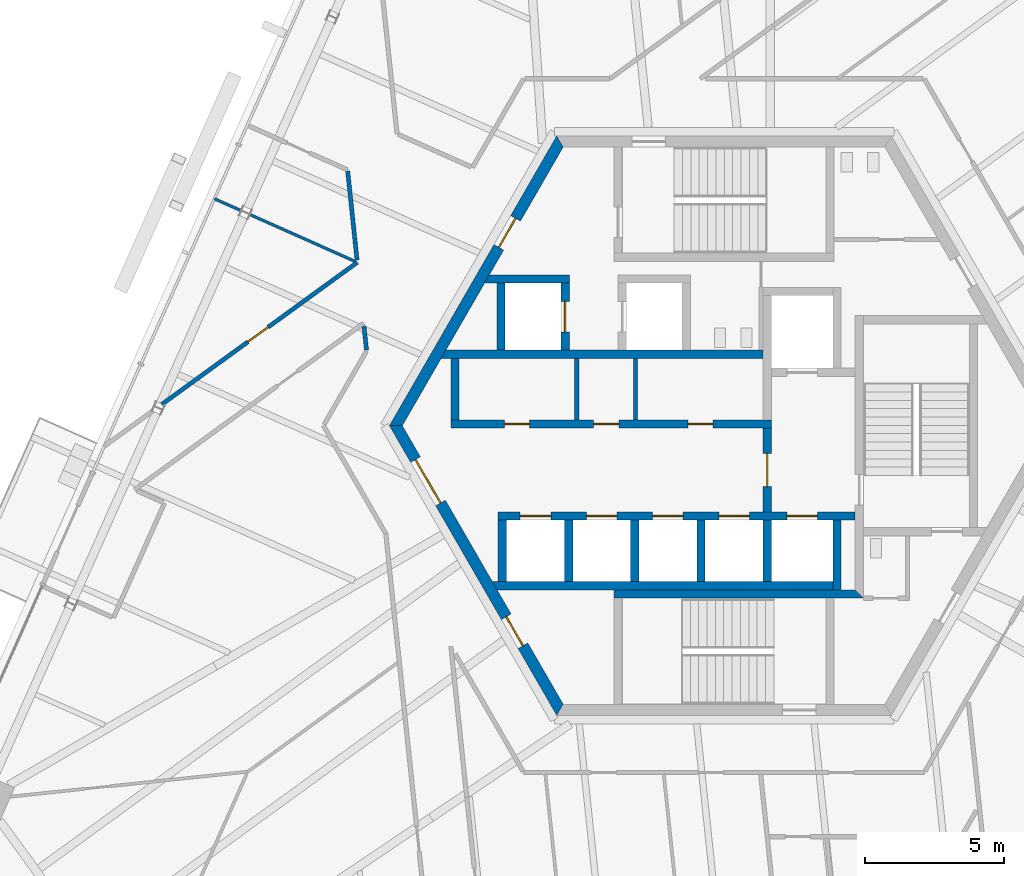
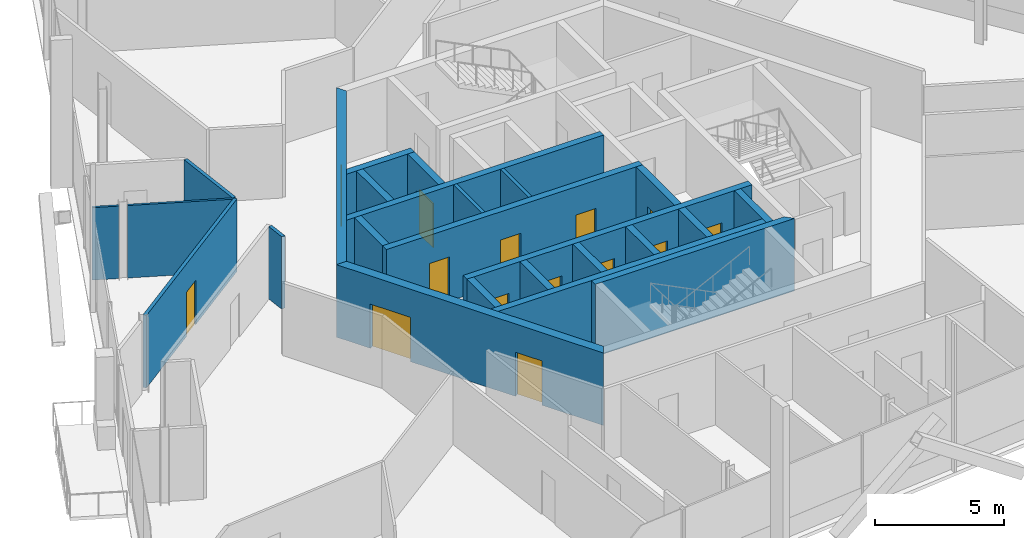
# One storey, part 11 of 20: 25 walls, 14 doors, 14 openings.
"""IFC4 building model written with IfcOpenShell, lengths in metres."""

from ifc_helpers import new_model, si_unit, direction, frame, frame_2d, origin, place, context, subcontext, project, spatial, polyline, rectangle, outline, extrude, source, transform, mapped, material, layer, layer_set, type_object, element, fill, save


model = new_model("IFC4")

# Units and contexts
model_context = context("Model", 3, precision=1e-05, world=origin(), true_north=direction((0.0, 1.0)))
body_context = subcontext(model_context, "Body", "Model", "MODEL_VIEW")
ifc_project = project(units=[si_unit("LENGTHUNIT", "METRE"), si_unit("AREAUNIT", "SQUARE_METRE"), si_unit("VOLUMEUNIT", "CUBIC_METRE"), si_unit("PLANEANGLEUNIT", "RADIAN"), si_unit("MASSUNIT", "GRAM", prefix="KILO")], contexts=[model_context])

# Site, building, storey
site_placement = place(None, origin())
site = spatial("IfcSite", under=ifc_project, at=site_placement, CompositionType="ELEMENT")
building_placement = place(site_placement, origin())
building = spatial("IfcBuilding", under=site, at=building_placement, Name="Triune Harvest Tower", CompositionType="ELEMENT")
storey_placement = place(building_placement, frame((0.0, 0.0, 234.10009765625)))
storey = spatial("IfcBuildingStorey", under=building, at=storey_placement, Name="L61", CompositionType="ELEMENT", Elevation=234.10009765625)

# Wall, opening, door
ifc_material_1 = material(Name="Concrete 70 MPa", Category="concrete")
ifc_layer_1 = layer(ifc_material_1, 0.39990234375)
ifc_layer_set_1 = layer_set([ifc_layer_1], Name="Concrete 70 MPa")
wall_type_1 = type_object("IfcWallType", Name="Core wall 400", PredefinedType="SHEAR", material=ifc_layer_set_1)
shared_shape_1 = source(origin(), body_context, "Body", "SweptSolid", [
    extrude(outline(polyline([(-0.115478515625, -0.199951171875), (11.884521484375, -0.199951171875), (11.653564453125, 0.199951171875), (0.115478515625, 0.199951171875), (-0.115478515625, -0.199951171875)])), origin(), (0.0, 0.0, 1.0), 3.43994140625),
])
wall_1_placement = place(storey_placement, frame((-5.884521484375, 10.1923828125, 0.0), z_axis=(0.0, 0.0, 1.0), x_axis=(-0.499996592174, -0.866027371285, 0.0)))
wall_1 = element("IfcWall", 1, at=wall_1_placement, inside=storey, type_object=wall_type_1, Name="Hexagon 2 wall", PredefinedType="SHEAR", context=body_context, shape_type="MappedRepresentation", body=[
    mapped(shared_shape_1, transform((0.0, 0.0, 0.0), scale=1.0)),
])
opening_1_placement = place(wall_1_placement, frame((3.1845703125, 0.0, 0.0)))
opening_1 = element("IfcOpeningElement", 2, at=opening_1_placement, cuts=wall_1, Name="Opening CD-SVP", PredefinedType="OPENING", context=body_context, shape_type="SweptSolid", body=[
    extrude(rectangle(XDim=1.199951171875, YDim=2.10009765625, at=frame_2d((0.60009765625, 1.050048828125))), frame((0.0, 0.2099609375, 0.0), z_axis=(0.0, -1.0, 0.0), x_axis=(1.0, 0.0, 0.0)), (0.0, 0.0, 1.0), 0.419921875),
])
ifc_material_2 = material(Name="Steel S235", Category="steel")
door_type_1 = type_object("IfcDoorType", Name="Service door 1200 FD120", OperationType="SINGLE_SWING_LEFT", PredefinedType="DOOR", material=ifc_material_2)
door_1_placement = place(opening_1_placement, frame((1.199951171875, 0.0, 0.0), z_axis=(0.0, 0.0, 1.0), x_axis=(-1.0, 0.0, 0.0)))
door_1 = element("IfcDoor", 3, at=door_1_placement, inside=storey, type_object=door_type_1, Name="Door CD-SVP", OperationType="SINGLE_SWING_RIGHT", OverallHeight=2.10009765625, OverallWidth=1.199951171875, PredefinedType="DOOR", context=body_context, shape_type="SweptSolid", body=[
    extrude(rectangle(XDim=1.199951171875, YDim=2.10009765625, at=frame_2d((0.60009765625, 1.050048828125))), frame((0.0, 0.02490234375, 0.0), z_axis=(0.0, -1.0, 0.0), x_axis=(1.0, 0.0, 0.0)), (0.0, 0.0, 1.0), 0.050048828125),
])
fill(opening_1, door_1)

# Wall, openings, doors
wall_2_placement = place(storey_placement, frame((-11.76904296875, 0.0, 0.0), z_axis=(0.0, 0.0, 1.0), x_axis=(0.499996592174, -0.866027371285, 0.0)))
wall_2 = element("IfcWall", 4, at=wall_2_placement, inside=storey, type_object=wall_type_1, Name="Hexagon 3 wall", PredefinedType="SHEAR", context=body_context, shape_type="MappedRepresentation", body=[
    mapped(shared_shape_1, transform((0.0, 0.0, 0.0), scale=1.0)),
])
opening_2_placement = place(wall_2_placement, frame((1.404541015625, 0.0, 0.0)))
opening_2 = element("IfcOpeningElement", 5, at=opening_2_placement, cuts=wall_2, Name="Opening CD-LS", PredefinedType="OPENING", context=body_context, shape_type="SweptSolid", body=[
    extrude(rectangle(XDim=1.800048828125, YDim=2.10009765625, at=frame_2d((0.89990234375, 1.050048828125))), frame((0.0, 0.2099609375, 0.0), z_axis=(0.0, -1.0, 0.0), x_axis=(1.0, 0.0, 0.0)), (0.0, 0.0, 1.0), 0.419921875),
])
opening_3_placement = place(wall_2_placement, frame((7.91455078125, 0.0, 0.0)))
opening_3 = element("IfcOpeningElement", 6, at=opening_3_placement, cuts=wall_2, Name="Opening CD-SWP", PredefinedType="OPENING", context=body_context, shape_type="SweptSolid", body=[
    extrude(rectangle(XDim=1.199951171875, YDim=2.10009765625, at=frame_2d((0.60009765625, 1.050048828125))), frame((0.0, 0.2099609375, 0.0), z_axis=(0.0, -1.0, 0.0), x_axis=(1.0, 0.0, 0.0)), (0.0, 0.0, 1.0), 0.419921875),
])
ifc_material_3 = material(Name="Steel S235", Category="steel")
door_type_2 = type_object("IfcDoorType", Name="Lobby door 1800 FD120", OperationType="DOUBLE_DOOR_DOUBLE_SWING", PredefinedType="DOOR", material=ifc_material_3)
door_2_placement = place(opening_2_placement, frame((1.800048828125, 0.0, 0.0), z_axis=(0.0, 0.0, 1.0), x_axis=(-1.0, 0.0, 0.0)))
door_2 = element("IfcDoor", 7, at=door_2_placement, inside=storey, type_object=door_type_2, Name="Door CD-LS", OperationType="DOUBLE_DOOR_DOUBLE_SWING", OverallHeight=2.10009765625, OverallWidth=1.800048828125, PredefinedType="DOOR", context=body_context, shape_type="SweptSolid", body=[
    extrude(rectangle(XDim=1.800048828125, YDim=2.10009765625, at=frame_2d((0.89990234375, 1.050048828125))), frame((0.0, 0.02490234375, 0.0), z_axis=(0.0, -1.0, 0.0), x_axis=(1.0, 0.0, 0.0)), (0.0, 0.0, 1.0), 0.050048828125),
])
fill(opening_2, door_2)
door_3_placement = place(opening_3_placement, frame((1.199951171875, 0.0, 0.0), z_axis=(0.0, 0.0, 1.0), x_axis=(-1.0, 0.0, 0.0)))
door_3 = element("IfcDoor", 8, at=door_3_placement, inside=storey, type_object=door_type_1, Name="Door CD-SWP", OperationType="SINGLE_SWING_RIGHT", OverallHeight=2.10009765625, OverallWidth=1.199951171875, PredefinedType="DOOR", context=body_context, shape_type="SweptSolid", body=[
    extrude(rectangle(XDim=1.199951171875, YDim=2.10009765625, at=frame_2d((0.60009765625, 1.050048828125))), frame((0.0, 0.02490234375, 0.0), z_axis=(0.0, -1.0, 0.0), x_axis=(1.0, 0.0, 0.0)), (0.0, 0.0, 1.0), 0.050048828125),
])
fill(opening_3, door_3)

ifc_material_4 = material(Name="Concrete 70 MPa", Category="concrete")
ifc_layer_2 = layer(ifc_material_4, 0.300048828125)
ifc_layer_set_2 = layer_set([ifc_layer_2], Name="Concrete 70 MPa")
wall_type_2 = type_object("IfcWallType", Name="Core wall 300", PredefinedType="SHEAR", material=ifc_layer_set_2)
shared_shape_2 = source(origin(), body_context, "Body", "SweptSolid", [
    extrude(rectangle(XDim=11.5, YDim=0.300048828125, at=frame_2d((5.75, 0.0))), origin(), (0.0, 0.0, 1.0), 3.43994140625),
])
wall_3_placement = place(storey_placement, frame((-9.800048828125, 0.06005859375, 0.0), z_axis=(0.0, 0.0, 1.0), x_axis=(1.0, 0.0, 0.0)))
wall_3 = element("IfcWall", 9, at=wall_3_placement, inside=storey, type_object=wall_type_2, Name="North front wall", PredefinedType="SHEAR", context=body_context, shape_type="MappedRepresentation", body=[
    mapped(shared_shape_2, transform((0.0, 0.0, 0.0), scale=1.0)),
])
opening_4_placement = place(wall_3_placement, frame((1.922607421875, 0.0, 0.0)))
opening_4 = element("IfcOpeningElement", 10, at=opening_4_placement, cuts=wall_3, Name="Opening CD-RN1", PredefinedType="OPENING", context=body_context, shape_type="SweptSolid", body=[
    extrude(rectangle(XDim=0.89990234375, YDim=2.10009765625, at=frame_2d((0.449951171875, 1.050048828125))), frame((0.0, 0.16015625, 0.0), z_axis=(0.0, -1.0, 0.0), x_axis=(1.0, 0.0, 0.0)), (0.0, 0.0, 1.0), 0.320068359375),
])
opening_5_placement = place(wall_3_placement, frame((5.125, 0.0, 0.0)))
opening_5 = element("IfcOpeningElement", 11, at=opening_5_placement, cuts=wall_3, Name="Opening CD-RN2", PredefinedType="OPENING", context=body_context, shape_type="SweptSolid", body=[
    extrude(rectangle(XDim=0.89990234375, YDim=2.10009765625, at=frame_2d((0.449951171875, 1.050048828125))), frame((0.0, 0.16015625, 0.0), z_axis=(0.0, -1.0, 0.0), x_axis=(1.0, 0.0, 0.0)), (0.0, 0.0, 1.0), 0.320068359375),
])
opening_6_placement = place(wall_3_placement, frame((8.50244140625, 0.0, 0.0)))
opening_6 = element("IfcOpeningElement", 12, at=opening_6_placement, cuts=wall_3, Name="Opening CD-RN3", PredefinedType="OPENING", context=body_context, shape_type="SweptSolid", body=[
    extrude(rectangle(XDim=0.89990234375, YDim=2.10009765625, at=frame_2d((0.449951171875, 1.050048828125))), frame((0.0, 0.16015625, 0.0), z_axis=(0.0, -1.0, 0.0), x_axis=(1.0, 0.0, 0.0)), (0.0, 0.0, 1.0), 0.320068359375),
])
ifc_material_5 = material(Name="Steel S235", Category="steel")
door_type_3 = type_object("IfcDoorType", Name="Riser door 900 FD120", OperationType="SINGLE_SWING_LEFT", PredefinedType="DOOR", material=ifc_material_5)
door_4_placement = place(opening_4_placement, frame((0.89990234375, 0.0, 0.0), z_axis=(0.0, 0.0, 1.0), x_axis=(-1.0, 0.0, 0.0)))
door_4 = element("IfcDoor", 13, at=door_4_placement, inside=storey, type_object=door_type_3, Name="Door CD-RN1", OperationType="SINGLE_SWING_RIGHT", OverallHeight=2.10009765625, OverallWidth=0.89990234375, PredefinedType="DOOR", context=body_context, shape_type="SweptSolid", body=[
    extrude(rectangle(XDim=0.89990234375, YDim=2.10009765625, at=frame_2d((0.449951171875, 1.050048828125))), frame((0.0, 0.02490234375, 0.0), z_axis=(0.0, -1.0, 0.0), x_axis=(1.0, 0.0, 0.0)), (0.0, 0.0, 1.0), 0.050048828125),
])
fill(opening_4, door_4)
door_5_placement = place(opening_5_placement, frame((0.89990234375, 0.0, 0.0), z_axis=(0.0, 0.0, 1.0), x_axis=(-1.0, 0.0, 0.0)))
door_5 = element("IfcDoor", 14, at=door_5_placement, inside=storey, type_object=door_type_3, Name="Door CD-RN2", OperationType="SINGLE_SWING_RIGHT", OverallHeight=2.10009765625, OverallWidth=0.89990234375, PredefinedType="DOOR", context=body_context, shape_type="SweptSolid", body=[
    extrude(rectangle(XDim=0.89990234375, YDim=2.10009765625, at=frame_2d((0.449951171875, 1.050048828125))), frame((0.0, 0.02490234375, 0.0), z_axis=(0.0, -1.0, 0.0), x_axis=(1.0, 0.0, 0.0)), (0.0, 0.0, 1.0), 0.050048828125),
])
fill(opening_5, door_5)
door_6_placement = place(opening_6_placement, frame((0.89990234375, 0.0, 0.0), z_axis=(0.0, 0.0, 1.0), x_axis=(-1.0, 0.0, 0.0)))
door_6 = element("IfcDoor", 15, at=door_6_placement, inside=storey, type_object=door_type_3, Name="Door CD-RN3", OperationType="SINGLE_SWING_RIGHT", OverallHeight=2.10009765625, OverallWidth=0.89990234375, PredefinedType="DOOR", context=body_context, shape_type="SweptSolid", body=[
    extrude(rectangle(XDim=0.89990234375, YDim=2.10009765625, at=frame_2d((0.449951171875, 1.050048828125))), frame((0.0, 0.02490234375, 0.0), z_axis=(0.0, -1.0, 0.0), x_axis=(1.0, 0.0, 0.0)), (0.0, 0.0, 1.0), 0.050048828125),
])
fill(opening_6, door_6)

# Walls
shared_shape_3 = source(origin(), body_context, "Body", "SweptSolid", [
    extrude(outline(polyline([(11.199951171875, -0.14990234375), (-0.34912109375, -0.14990234375), (-0.17578125, 0.14990234375), (11.199951171875, 0.14990234375), (11.199951171875, -0.14990234375)])), origin(), (0.0, 0.0, 1.0), 3.43994140625),
])
wall_4_placement = place(storey_placement, frame((-9.800048828125, 2.56005859375, 0.0), z_axis=(0.0, 0.0, 1.0), x_axis=(1.0, 0.0, 0.0)))
element("IfcWall", 16, at=wall_4_placement, inside=storey, type_object=wall_type_2, Name="North back wall", PredefinedType="SHEAR", context=body_context, shape_type="MappedRepresentation", body=[
    mapped(shared_shape_3, transform((0.0, 0.0, 0.0), scale=1.0)),
])
shared_shape_4 = source(origin(), body_context, "Body", "SweptSolid", [
    extrude(rectangle(XDim=2.5, YDim=0.300048828125, at=frame_2d((1.25, 0.0))), origin(), (0.0, 0.0, 1.0), 3.43994140625),
])
wall_5_placement = place(storey_placement, frame((4.050048828125, -5.889892578125, 0.0), z_axis=(0.0, 0.0, 1.0), x_axis=(0.0, 1.0, 0.0)))
element("IfcWall", 17, at=wall_5_placement, inside=storey, type_object=wall_type_2, Name="Ff2 east wall", PredefinedType="SHEAR", context=body_context, shape_type="MappedRepresentation", body=[
    mapped(shared_shape_4, transform((0.0, 0.0, 0.0), scale=1.0)),
])

# Wall, opening, door
shared_shape_5 = source(origin(), body_context, "Body", "SweptSolid", [
    extrude(rectangle(XDim=3.0, YDim=0.300048828125, at=frame_2d((1.5, 0.0))), origin(), (0.0, 0.0, 1.0), 3.43994140625),
])
wall_6_placement = place(storey_placement, frame((1.550048828125, -3.090087890625, 0.0), z_axis=(0.0, 0.0, 1.0), x_axis=(0.0, 1.0, 0.0)))
wall_6 = element("IfcWall", 18, at=wall_6_placement, inside=storey, type_object=wall_type_2, Name="Ff lobby west wall", PredefinedType="SHEAR", context=body_context, shape_type="MappedRepresentation", body=[
    mapped(shared_shape_5, transform((0.0, 0.0, 0.0), scale=1.0)),
])
opening_7_placement = place(wall_6_placement, frame((0.89990234375, 0.0, 0.0)))
opening_7 = element("IfcOpeningElement", 19, at=opening_7_placement, cuts=wall_6, Name="Opening CD-FL", PredefinedType="OPENING", context=body_context, shape_type="SweptSolid", body=[
    extrude(rectangle(XDim=1.199951171875, YDim=2.10009765625, at=frame_2d((0.60009765625, 1.050048828125))), frame((0.0, 0.16015625, 0.0), z_axis=(0.0, -1.0, 0.0), x_axis=(1.0, 0.0, 0.0)), (0.0, 0.0, 1.0), 0.320068359375),
])
ifc_material_6 = material(Name="Steel S235", Category="steel")
door_type_4 = type_object("IfcDoorType", Name="Firefighters' lobby door 1200 FD120", OperationType="SINGLE_SWING_LEFT", PredefinedType="DOOR", material=ifc_material_6)
door_7_placement = place(opening_7_placement, frame((1.199951171875, 0.0, 0.0), z_axis=(0.0, 0.0, 1.0), x_axis=(-1.0, 0.0, 0.0)))
door_7 = element("IfcDoor", 20, at=door_7_placement, inside=storey, type_object=door_type_4, Name="Door CD-FL", OperationType="SINGLE_SWING_RIGHT", OverallHeight=2.10009765625, OverallWidth=1.199951171875, PredefinedType="DOOR", context=body_context, shape_type="SweptSolid", body=[
    extrude(rectangle(XDim=1.199951171875, YDim=2.10009765625, at=frame_2d((0.60009765625, 1.050048828125))), frame((0.0, 0.02490234375, 0.0), z_axis=(0.0, -1.0, 0.0), x_axis=(1.0, 0.0, 0.0)), (0.0, 0.0, 1.0), 0.050048828125),
])
fill(opening_7, door_7)

# Wall, openings, doors
shared_shape_6 = source(origin(), body_context, "Body", "SweptSolid", [
    extrude(rectangle(XDim=12.800048828125, YDim=0.300048828125, at=frame_2d((6.39990234375, 0.0))), origin(), (0.0, 0.0, 1.0), 3.43994140625),
])
wall_7_placement = place(storey_placement, frame((-8.10009765625, -3.239990234375, 0.0), z_axis=(0.0, 0.0, 1.0), x_axis=(1.0, 0.0, 0.0)))
wall_7 = element("IfcWall", 21, at=wall_7_placement, inside=storey, type_object=wall_type_2, Name="South front wall", PredefinedType="SHEAR", context=body_context, shape_type="MappedRepresentation", body=[
    mapped(shared_shape_6, transform((0.0, 0.0, 0.0), scale=1.0)),
])
opening_8_placement = place(wall_7_placement, frame((0.78759765625, 0.0, 0.0)))
opening_8 = element("IfcOpeningElement", 22, at=opening_8_placement, cuts=wall_7, Name="Opening LD-HR1-61", PredefinedType="OPENING", context=body_context, shape_type="SweptSolid", body=[
    extrude(rectangle(XDim=1.10009765625, YDim=2.10009765625, at=frame_2d((0.550048828125, 1.050048828125))), frame((0.0, 0.16015625, 0.0), z_axis=(0.0, -1.0, 0.0), x_axis=(1.0, 0.0, 0.0)), (0.0, 0.0, 1.0), 0.320068359375),
])
opening_9_placement = place(wall_7_placement, frame((3.16259765625, 0.0, 0.0)))
opening_9 = element("IfcOpeningElement", 23, at=opening_9_placement, cuts=wall_7, Name="Opening LD-HR2-61", PredefinedType="OPENING", context=body_context, shape_type="SweptSolid", body=[
    extrude(rectangle(XDim=1.10009765625, YDim=2.10009765625, at=frame_2d((0.550048828125, 1.050048828125))), frame((0.0, 0.16015625, 0.0), z_axis=(0.0, -1.0, 0.0), x_axis=(1.0, 0.0, 0.0)), (0.0, 0.0, 1.0), 0.320068359375),
])
opening_10_placement = place(wall_7_placement, frame((5.53759765625, 0.0, 0.0)))
opening_10 = element("IfcOpeningElement", 24, at=opening_10_placement, cuts=wall_7, Name="Opening LD-HR3-61", PredefinedType="OPENING", context=body_context, shape_type="SweptSolid", body=[
    extrude(rectangle(XDim=1.10009765625, YDim=2.10009765625, at=frame_2d((0.550048828125, 1.050048828125))), frame((0.0, 0.16015625, 0.0), z_axis=(0.0, -1.0, 0.0), x_axis=(1.0, 0.0, 0.0)), (0.0, 0.0, 1.0), 0.320068359375),
])
opening_11_placement = place(wall_7_placement, frame((7.91259765625, 0.0, 0.0)))
opening_11 = element("IfcOpeningElement", 25, at=opening_11_placement, cuts=wall_7, Name="Opening LD-HR4-61", PredefinedType="OPENING", context=body_context, shape_type="SweptSolid", body=[
    extrude(rectangle(XDim=1.10009765625, YDim=2.10009765625, at=frame_2d((0.550048828125, 1.050048828125))), frame((0.0, 0.16015625, 0.0), z_axis=(0.0, -1.0, 0.0), x_axis=(1.0, 0.0, 0.0)), (0.0, 0.0, 1.0), 0.320068359375),
])
opening_12_placement = place(wall_7_placement, frame((10.35009765625, 0.0, 0.0)))
opening_12 = element("IfcOpeningElement", 26, at=opening_12_placement, cuts=wall_7, Name="Opening LD-FF2-61", PredefinedType="OPENING", context=body_context, shape_type="SweptSolid", body=[
    extrude(rectangle(XDim=1.10009765625, YDim=2.10009765625, at=frame_2d((0.550048828125, 1.050048828125))), frame((0.0, 0.16015625, 0.0), z_axis=(0.0, -1.0, 0.0), x_axis=(1.0, 0.0, 0.0)), (0.0, 0.0, 1.0), 0.320068359375),
])
ifc_material_7 = material(Name="Stainless steel AISI 304", Category="steel")
door_type_5 = type_object("IfcDoorType", Name="Landing door 1100 x 2100", OperationType="DOUBLE_DOOR_SLIDING", PredefinedType="DOOR", material=ifc_material_7)
door_8_placement = place(opening_8_placement, origin())
door_8 = element("IfcDoor", 27, at=door_8_placement, inside=storey, type_object=door_type_5, Name="Door LD-HR1-61", OperationType="DOUBLE_DOOR_SLIDING", OverallHeight=2.10009765625, OverallWidth=1.10009765625, PredefinedType="DOOR", context=body_context, shape_type="SweptSolid", body=[
    extrude(rectangle(XDim=1.10009765625, YDim=2.10009765625, at=frame_2d((0.550048828125, 1.050048828125))), frame((0.0, 0.02490234375, 0.0), z_axis=(0.0, -1.0, 0.0), x_axis=(1.0, 0.0, 0.0)), (0.0, 0.0, 1.0), 0.050048828125),
])
fill(opening_8, door_8)
door_9_placement = place(opening_9_placement, origin())
door_9 = element("IfcDoor", 28, at=door_9_placement, inside=storey, type_object=door_type_5, Name="Door LD-HR2-61", OperationType="DOUBLE_DOOR_SLIDING", OverallHeight=2.10009765625, OverallWidth=1.10009765625, PredefinedType="DOOR", context=body_context, shape_type="SweptSolid", body=[
    extrude(rectangle(XDim=1.10009765625, YDim=2.10009765625, at=frame_2d((0.550048828125, 1.050048828125))), frame((0.0, 0.02490234375, 0.0), z_axis=(0.0, -1.0, 0.0), x_axis=(1.0, 0.0, 0.0)), (0.0, 0.0, 1.0), 0.050048828125),
])
fill(opening_9, door_9)
door_10_placement = place(opening_10_placement, origin())
door_10 = element("IfcDoor", 29, at=door_10_placement, inside=storey, type_object=door_type_5, Name="Door LD-HR3-61", OperationType="DOUBLE_DOOR_SLIDING", OverallHeight=2.10009765625, OverallWidth=1.10009765625, PredefinedType="DOOR", context=body_context, shape_type="SweptSolid", body=[
    extrude(rectangle(XDim=1.10009765625, YDim=2.10009765625, at=frame_2d((0.550048828125, 1.050048828125))), frame((0.0, 0.02490234375, 0.0), z_axis=(0.0, -1.0, 0.0), x_axis=(1.0, 0.0, 0.0)), (0.0, 0.0, 1.0), 0.050048828125),
])
fill(opening_10, door_10)
door_11_placement = place(opening_11_placement, origin())
door_11 = element("IfcDoor", 30, at=door_11_placement, inside=storey, type_object=door_type_5, Name="Door LD-HR4-61", OperationType="DOUBLE_DOOR_SLIDING", OverallHeight=2.10009765625, OverallWidth=1.10009765625, PredefinedType="DOOR", context=body_context, shape_type="SweptSolid", body=[
    extrude(rectangle(XDim=1.10009765625, YDim=2.10009765625, at=frame_2d((0.550048828125, 1.050048828125))), frame((0.0, 0.02490234375, 0.0), z_axis=(0.0, -1.0, 0.0), x_axis=(1.0, 0.0, 0.0)), (0.0, 0.0, 1.0), 0.050048828125),
])
fill(opening_11, door_11)
door_12_placement = place(opening_12_placement, origin())
door_12 = element("IfcDoor", 31, at=door_12_placement, inside=storey, type_object=door_type_5, Name="Door LD-FF2-61", OperationType="DOUBLE_DOOR_SLIDING", OverallHeight=2.10009765625, OverallWidth=1.10009765625, PredefinedType="DOOR", context=body_context, shape_type="SweptSolid", body=[
    extrude(rectangle(XDim=1.10009765625, YDim=2.10009765625, at=frame_2d((0.550048828125, 1.050048828125))), frame((0.0, 0.02490234375, 0.0), z_axis=(0.0, -1.0, 0.0), x_axis=(1.0, 0.0, 0.0)), (0.0, 0.0, 1.0), 0.050048828125),
])
fill(opening_12, door_12)

# Walls
shared_shape_7 = source(origin(), body_context, "Body", "SweptSolid", [
    extrude(outline(polyline([(12.0, -0.14990234375), (-0.039794921875, -0.14990234375), (-0.212890625, 0.14990234375), (12.0, 0.14990234375), (12.0, -0.14990234375)])), origin(), (0.0, 0.0, 1.0), 3.43994140625),
])
wall_8_placement = place(storey_placement, frame((-8.10009765625, -5.739990234375, 0.0), z_axis=(0.0, 0.0, 1.0), x_axis=(1.0, 0.0, 0.0)))
element("IfcWall", 32, at=wall_8_placement, inside=storey, type_object=wall_type_2, Name="South back wall", PredefinedType="SHEAR", context=body_context, shape_type="MappedRepresentation", body=[
    mapped(shared_shape_7, transform((0.0, 0.0, 0.0), scale=1.0)),
])
shared_shape_8 = source(origin(), body_context, "Body", "SweptSolid", [
    extrude(rectangle(XDim=2.2001953125, YDim=0.300048828125, at=frame_2d((1.10009765625, 0.0))), origin(), (0.0, 0.0, 1.0), 3.43994140625),
])
for number, where, z_axis, x_axis, name in (
    (33, (-7.949951171875, -5.590087890625, 0.0), (0.0, 0.0, 1.0), (0.0, 1.0, 0.0), "South end west wall"),
    (34, (1.550048828125, -5.590087890625, 0.0), (0.0, 0.0, 1.0), (0.0, 1.0, 0.0), "Ff2 west wall"),
    (35, (-5.574951171875, -5.590087890625, 0.0), (0.0, 0.0, 1.0), (0.0, 1.0, 0.0), "South cross 1 wall"),
    (36, (-3.199951171875, -5.590087890625, 0.0), (0.0, 0.0, 1.0), (0.0, 1.0, 0.0), "South cross 2 wall"),
    (37, (-0.824951171875, -5.590087890625, 0.0), (0.0, 0.0, 1.0), (0.0, 1.0, 0.0), "South cross 3 wall"),
):
    element("IfcWall", number, at=place(storey_placement, frame(where, z_axis=z_axis, x_axis=x_axis)), inside=storey, type_object=wall_type_2, Name=name, PredefinedType="SHEAR", context=body_context, shape_type="MappedRepresentation", body=[
        mapped(shared_shape_8, transform((0.0, 0.0, 0.0), scale=1.0)),
    ])
shared_shape_9 = source(origin(), body_context, "Body", "SweptSolid", [
    extrude(rectangle(XDim=2.199951171875, YDim=0.300048828125, at=frame_2d((1.10009765625, 0.0))), origin(), (0.0, 0.0, 1.0), 3.43994140625),
])
wall_9_placement = place(storey_placement, frame((-9.64990234375, 0.2099609375, 0.0), z_axis=(0.0, 0.0, 1.0), x_axis=(0.0, 1.0, 0.0)))
element("IfcWall", 38, at=wall_9_placement, inside=storey, type_object=wall_type_2, Name="North end west wall", PredefinedType="SHEAR", context=body_context, shape_type="MappedRepresentation", body=[
    mapped(shared_shape_9, transform((0.0, 0.0, 0.0), scale=1.0)),
])
shared_shape_10 = source(origin(), body_context, "Body", "SweptSolid", [
    extrude(outline(polyline([(0.0, -0.14990234375), (8.949951171875, -0.14990234375), (8.64990234375, 0.14990234375), (0.0, 0.14990234375), (0.0, -0.14990234375)])), origin(), (0.0, 0.0, 1.0), 3.43994140625),
])
wall_10_placement = place(storey_placement, frame((-3.949951171875, -6.0400390625, 0.0), z_axis=(0.0, 0.0, 1.0), x_axis=(1.0, 0.0, 0.0)))
element("IfcWall", 39, at=wall_10_placement, inside=storey, type_object=wall_type_2, Name="Stair s north wall", PredefinedType="SHEAR", context=body_context, shape_type="MappedRepresentation", body=[
    mapped(shared_shape_10, transform((0.0, 0.0, 0.0), scale=1.0)),
])
shared_shape_11 = source(origin(), body_context, "Body", "SweptSolid", [
    extrude(outline(polyline([(2.60009765625, -0.14990234375), (-0.440185546875, -0.14990234375), (-0.26708984375, 0.14990234375), (2.60009765625, 0.14990234375), (2.60009765625, -0.14990234375)])), origin(), (0.0, 0.0, 1.0), 3.43994140625),
])
wall_11_placement = place(storey_placement, frame((-8.14990234375, 5.260009765625, 0.0), z_axis=(0.0, 0.0, 1.0), x_axis=(1.0, 0.0, 0.0)))
element("IfcWall", 40, at=wall_11_placement, inside=storey, type_object=wall_type_2, Name="Sv1 north wall", PredefinedType="SHEAR", context=body_context, shape_type="MappedRepresentation", body=[
    mapped(shared_shape_11, transform((0.0, 0.0, 0.0), scale=1.0)),
])
shared_shape_12 = source(origin(), body_context, "Body", "SweptSolid", [
    extrude(rectangle(XDim=2.400146484375, YDim=0.300048828125, at=frame_2d((1.2001953125, 0.0))), origin(), (0.0, 0.0, 1.0), 3.43994140625),
])
wall_12_placement = place(storey_placement, frame((-8.0, 2.7099609375, 0.0), z_axis=(0.0, 0.0, 1.0), x_axis=(0.0, 1.0, 0.0)))
element("IfcWall", 41, at=wall_12_placement, inside=storey, type_object=wall_type_2, Name="Sv1 west wall", PredefinedType="SHEAR", context=body_context, shape_type="MappedRepresentation", body=[
    mapped(shared_shape_12, transform((0.0, 0.0, 0.0), scale=1.0)),
])

# Wall, opening, door
wall_13_placement = place(storey_placement, frame((-5.699951171875, 2.7099609375, 0.0), z_axis=(0.0, 0.0, 1.0), x_axis=(0.0, 1.0, 0.0)))
wall_13 = element("IfcWall", 42, at=wall_13_placement, inside=storey, type_object=wall_type_2, Name="Sv1 east wall", PredefinedType="SHEAR", context=body_context, shape_type="MappedRepresentation", body=[
    mapped(shared_shape_12, transform((0.0, 0.0, 0.0), scale=1.0)),
])
opening_13_placement = place(wall_13_placement, frame((0.64990234375, 0.0, 0.0)))
opening_13 = element("IfcOpeningElement", 43, at=opening_13_placement, cuts=wall_13, Name="Opening LD-SV1-61", PredefinedType="OPENING", context=body_context, shape_type="SweptSolid", body=[
    extrude(rectangle(XDim=1.10009765625, YDim=2.10009765625, at=frame_2d((0.550048828125, 1.050048828125))), frame((0.0, 0.16015625, 0.0), z_axis=(0.0, -1.0, 0.0), x_axis=(1.0, 0.0, 0.0)), (0.0, 0.0, 1.0), 0.320068359375),
])
door_13_placement = place(opening_13_placement, origin())
door_13 = element("IfcDoor", 44, at=door_13_placement, inside=storey, type_object=door_type_5, Name="Door LD-SV1-61", OperationType="DOUBLE_DOOR_SLIDING", OverallHeight=2.10009765625, OverallWidth=1.10009765625, PredefinedType="DOOR", context=body_context, shape_type="SweptSolid", body=[
    extrude(rectangle(XDim=1.10009765625, YDim=2.10009765625, at=frame_2d((0.550048828125, 1.050048828125))), frame((0.0, 0.02490234375, 0.0), z_axis=(0.0, -1.0, 0.0), x_axis=(1.0, 0.0, 0.0)), (0.0, 0.0, 1.0), 0.050048828125),
])
fill(opening_13, door_13)

# Walls
ifc_material_8 = material(Name="Concrete masonry unit", Category="masonry")
ifc_layer_3 = layer(ifc_material_8, 0.14990234375)
ifc_layer_set_3 = layer_set([ifc_layer_3], Name="Concrete masonry unit")
wall_type_3 = type_object("IfcWallType", Name="Block partition 150", PredefinedType="PARTITIONING", material=ifc_layer_set_3)
shared_shape_13 = source(origin(), body_context, "Body", "SweptSolid", [
    extrude(rectangle(XDim=2.199951171875, YDim=0.14990234375, at=frame_2d((1.10009765625, 0.0))), origin(), (0.0, 0.0, 1.0), 3.43994140625),
])
for number, where, z_axis, x_axis, name in (
    (45, (-5.280029296875, 0.2099609375, 0.0), (0.0, 0.0, 1.0), (0.0, 1.0, 0.0), "Row n part 1 wall"),
    (46, (-3.169921875, 0.2099609375, 0.0), (0.0, 0.0, 1.0), (0.0, 1.0, 0.0), "Row n part 2 wall"),
):
    element("IfcWall", number, at=place(storey_placement, frame(where, z_axis=z_axis, x_axis=x_axis)), inside=storey, type_object=wall_type_3, Name=name, PredefinedType="PARTITIONING", context=body_context, shape_type="MappedRepresentation", body=[
        mapped(shared_shape_13, transform((0.0, 0.0, 0.0), scale=1.0)),
    ])
ifc_material_9 = material(Name="Gypsum board on steel studs", Category="steel")
ifc_layer_4 = layer(ifc_material_9, 0.10009765625)
ifc_layer_set_4 = layer_set([ifc_layer_4], Name="Gypsum board on steel studs")
wall_type_4 = type_object("IfcWallType", Name="Partition 100 mm", PredefinedType="PARTITIONING", material=ifc_layer_set_4)
shared_shape_14 = source(origin(), body_context, "Body", "SweptSolid", [
    extrude(rectangle(XDim=1.0478515625, YDim=0.10009765625, at=frame_2d((0.52392578125, 0.0))), origin(), (0.0, 0.0, 1.0), 3.43994140625),
])
wall_14_placement = place(storey_placement, frame((-18.274169921875, 8.13623046875, 0.0), z_axis=(0.0, 0.0, 1.0), x_axis=(0.913609658968, -0.406592413899, 0.0)))
element("IfcWall", 47, at=wall_14_placement, inside=storey, type_object=wall_type_4, Name="Partition L61 022", PredefinedType="PARTITIONING", context=body_context, shape_type="MappedRepresentation", body=[
    mapped(shared_shape_14, transform((0.0, 0.0, 0.0), scale=1.0)),
])
ifc_material_10 = material(Name="Gypsum board on steel studs", Category="steel")
ifc_layer_5 = layer(ifc_material_10, 0.14990234375)
ifc_layer_set_5 = layer_set([ifc_layer_5], Name="Gypsum board on steel studs")
wall_type_5 = type_object("IfcWallType", Name="Fire Partition 150 mm", PredefinedType="PARTITIONING", material=ifc_layer_set_5)
shared_shape_15 = source(origin(), body_context, "Body", "SweptSolid", [
    extrude(rectangle(XDim=3.20654296875, YDim=0.14990234375, at=frame_2d((1.603271484375, 0.0))), origin(), (0.0, 0.0, 1.0), 3.43994140625),
])
wall_15_placement = place(storey_placement, frame((-13.496826171875, 9.125244140625, 0.0), z_axis=(0.0, 0.0, 1.0), x_axis=(0.104538138574, -0.994520878405, 0.0)))
element("IfcWall", 48, at=wall_15_placement, inside=storey, type_object=wall_type_5, Name="Partition L61 001", PredefinedType="PARTITIONING", context=body_context, shape_type="MappedRepresentation", body=[
    mapped(shared_shape_15, transform((0.0, 0.0, 0.0), scale=1.0)),
])
shared_shape_16 = source(origin(), body_context, "Body", "SweptSolid", [
    extrude(rectangle(XDim=0.859375, YDim=0.14990234375, at=frame_2d((0.4296875, 0.0))), origin(), (0.0, 0.0, 1.0), 3.43994140625),
])
wall_16_placement = place(storey_placement, frame((-12.91259765625, 3.564453125, 0.0), z_axis=(0.0, 0.0, 1.0), x_axis=(0.104817863394, -0.994491435616, 0.0)))
element("IfcWall", 49, at=wall_16_placement, inside=storey, type_object=wall_type_5, Name="Partition L61 002", PredefinedType="PARTITIONING", context=body_context, shape_type="MappedRepresentation", body=[
    mapped(shared_shape_16, transform((0.0, 0.0, 0.0), scale=1.0)),
])
shared_shape_17 = source(origin(), body_context, "Body", "SweptSolid", [
    extrude(rectangle(XDim=4.132080078125, YDim=0.10009765625, at=frame_2d((2.06591796875, 0.0))), origin(), (0.0, 0.0, 1.0), 3.43994140625),
])
wall_17_placement = place(storey_placement, frame((-17.010498046875, 7.573486328125, 0.0), z_axis=(0.0, 0.0, 1.0), x_axis=(0.91354822231, -0.406730433474, 0.0)))
element("IfcWall", 50, at=wall_17_placement, inside=storey, type_object=wall_type_4, Name="Partition L61 023", PredefinedType="PARTITIONING", context=body_context, shape_type="MappedRepresentation", body=[
    mapped(shared_shape_17, transform((0.0, 0.0, 0.0), scale=1.0)),
])

# Wall, opening, door
shared_shape_18 = source(origin(), body_context, "Body", "SweptSolid", [
    extrude(rectangle(XDim=8.666259765625, YDim=0.14990234375, at=frame_2d((4.3330078125, 0.0))), origin(), (0.0, 0.0, 1.0), 3.43994140625),
])
wall_18_placement = place(storey_placement, frame((-20.16455078125, 0.76220703125, 0.0), z_axis=(0.0, 0.0, 1.0), x_axis=(0.809014962438, 0.587788049003, 0.0)))
wall_18 = element("IfcWall", 51, at=wall_18_placement, inside=storey, type_object=wall_type_5, Name="Partition L61 047", PredefinedType="PARTITIONING", context=body_context, shape_type="MappedRepresentation", body=[
    mapped(shared_shape_18, transform((0.0, 0.0, 0.0), scale=1.0)),
])
opening_14_placement = place(wall_18_placement, frame((3.81640625, 0.0, 0.0)))
opening_14 = element("IfcOpeningElement", 52, at=opening_14_placement, cuts=wall_18, Name="Opening L61-009", PredefinedType="OPENING", context=body_context, shape_type="SweptSolid", body=[
    extrude(rectangle(XDim=0.89990234375, YDim=2.10009765625, at=frame_2d((0.449951171875, 1.050048828125))), frame((0.0, 0.0849609375, 0.0), z_axis=(0.0, -1.0, 0.0), x_axis=(1.0, 0.0, 0.0)), (0.0, 0.0, 1.0), 0.169921875),
])
ifc_material_11 = material(Name="Timber and steel door set", Category="steel")
door_type_6 = type_object("IfcDoorType", Name="Single leaf door FD30 left hand 900 x 2100", OperationType="SINGLE_SWING_LEFT", PredefinedType="DOOR", material=ifc_material_11)
door_14_placement = place(opening_14_placement, origin())
door_14 = element("IfcDoor", 53, at=door_14_placement, inside=storey, type_object=door_type_6, Name="Door L61-009 Open Office 61.09", OperationType="SINGLE_SWING_LEFT", OverallHeight=2.10009765625, OverallWidth=0.89990234375, PredefinedType="DOOR", context=body_context, shape_type="SweptSolid", body=[
    extrude(rectangle(XDim=0.89990234375, YDim=2.10009765625, at=frame_2d((0.449951171875, 1.050048828125))), frame((0.0, 0.02490234375, 0.0), z_axis=(0.0, -1.0, 0.0), x_axis=(1.0, 0.0, 0.0)), (0.0, 0.0, 1.0), 0.050048828125),
])
fill(opening_14, door_14)

save(model, "model.ifc")
